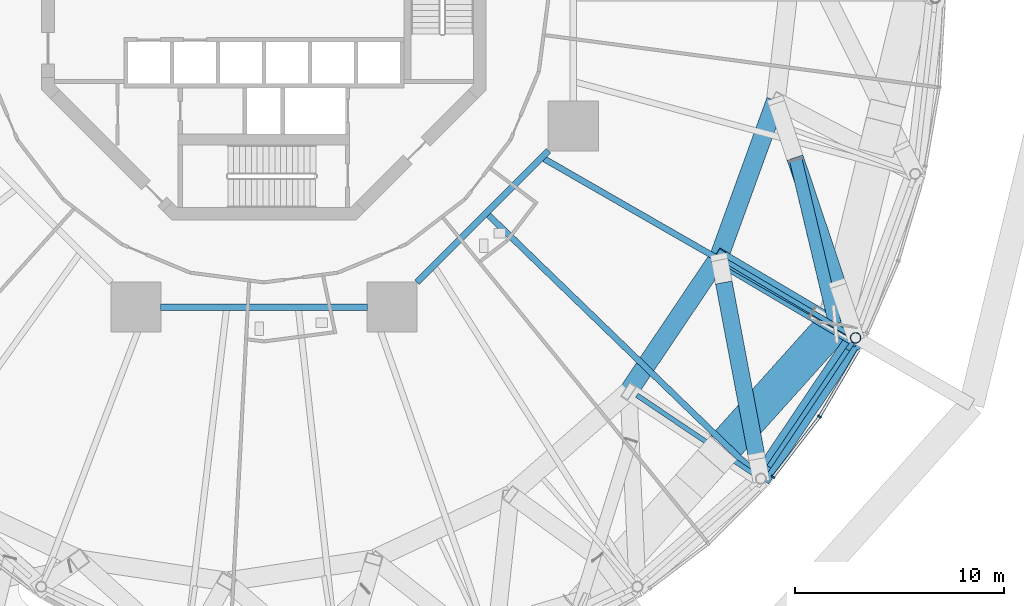
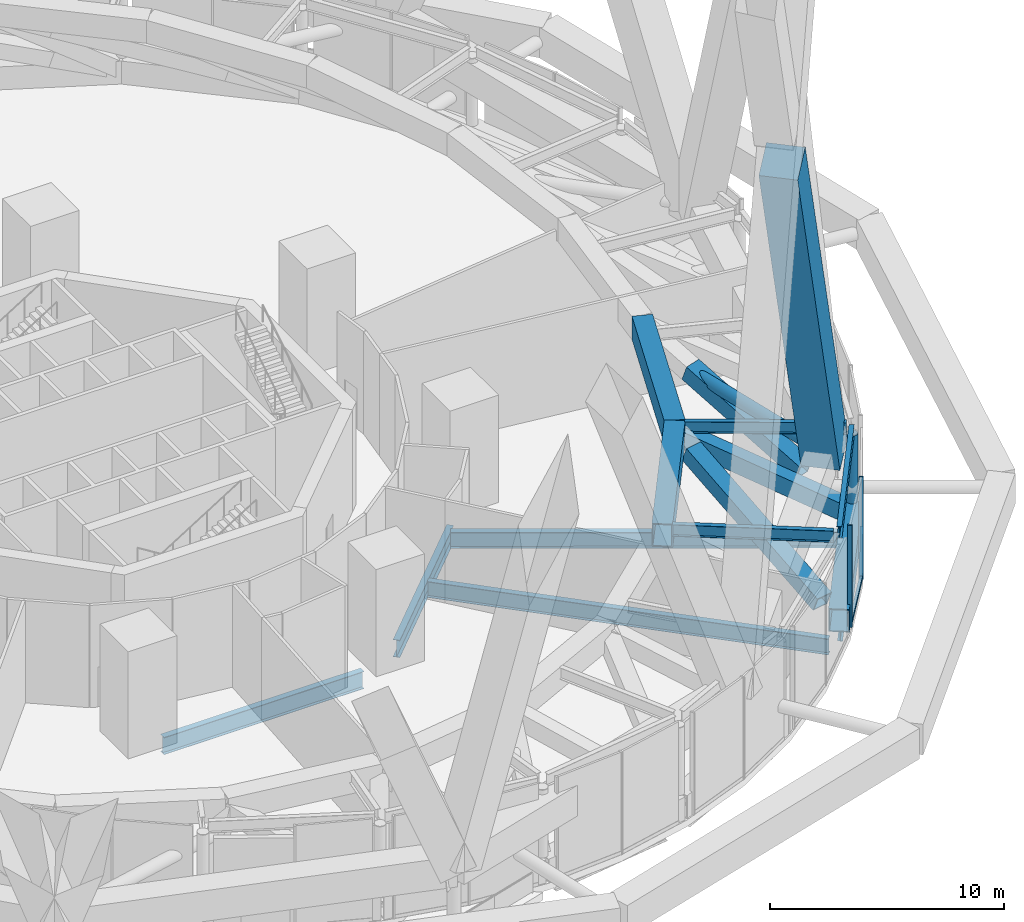
# One storey, part 15 of 51: 14 beams, 7 members, 2 elements without a shape of their own.
"""IFC4 building model written with IfcOpenShell, lengths in metres."""

from ifc_helpers import new_model, si_unit, direction, frame, origin, origin_2d, place, context, subcontext, project, spatial, rectangle, hollow_rectangle, hollow_circle, i_section, extrude, material, layer, layer_set, material_profile, profile_set, type_object, element, aggregate, save


model = new_model("IFC4")

# Units and contexts
model_context = context("Model", 3, precision=1e-05, world=origin(), true_north=direction((0.0, 1.0)))
body_context = subcontext(model_context, "Body", "Model", "MODEL_VIEW")
ifc_project = project(units=[si_unit("LENGTHUNIT", "METRE"), si_unit("AREAUNIT", "SQUARE_METRE"), si_unit("VOLUMEUNIT", "CUBIC_METRE"), si_unit("PLANEANGLEUNIT", "RADIAN"), si_unit("MASSUNIT", "GRAM", prefix="KILO")], contexts=[model_context])

# Site, building, storey
site_placement = place(None, origin())
site = spatial("IfcSite", under=ifc_project, at=site_placement, CompositionType="ELEMENT")
building_placement = place(site_placement, origin())
building = spatial("IfcBuilding", under=site, at=building_placement, Name="Nagisa Residences", CompositionType="ELEMENT")
storey_placement = place(building_placement, frame((0.0, 0.0, 67.699951171875)))
storey = spatial("IfcBuildingStorey", under=building, at=storey_placement, Name="L16", CompositionType="ELEMENT", Elevation=67.699951171875)

# Beams
ifc_material_1 = material(Name="Steel ASTM A572 Gr 50", Category="steel")
ifc_material_profile_1 = material_profile(ifc_material_1, hollow_rectangle(XDim=0.89990234375, YDim=1.199951171875, WallThickness=0.050048828125, at=origin_2d()), Name="BX 900x1200x50")
ifc_profile_set_1 = profile_set([ifc_material_profile_1], Name="Steel ASTM A572 Gr 50")
beam_type_1 = type_object("IfcBeamType", Name="Belt chord 1 BX 900x1200x50", PredefinedType="BEAM", material=ifc_profile_set_1)
beam_1_placement = place(storey_placement, frame((23.75244140625, -22.98095703125, 0.60009765625), z_axis=(0.558278389418, 0.829653686732, 0.0), x_axis=(-0.829653686732, 0.558278389418, 0.0)))
element("IfcBeam", 1, at=beam_1_placement, inside=storey, type_object=beam_type_1, Name="beam:L16:bt1b22", PredefinedType="BEAM", context=body_context, shape_type="SweptSolid", body=[
    extrude(hollow_rectangle(XDim=0.89990234375, YDim=1.199951171875, WallThickness=0.050048828125, at=origin_2d()), origin(), (0.0, 0.0, 1.0), 8.113037109375),
])
beam_2_placement = place(storey_placement, frame((17.4296875, -18.813232421875, 4.739990234375), z_axis=(0.558231952624, 0.829684932411, 0.0), x_axis=(-0.829684932411, 0.558231952624, 0.0)))
element("IfcBeam", 2, at=beam_2_placement, inside=storey, type_object=beam_type_1, Name="beam:L16:bt1t22", PredefinedType="BEAM", context=body_context, shape_type="SweptSolid", body=[
    extrude(hollow_rectangle(XDim=0.89990234375, YDim=1.199951171875, WallThickness=0.050048828125, at=origin_2d()), origin(), (0.0, 0.0, 1.0), 7.741943359375),
])
beam_3_placement = place(storey_placement, frame((21.75146484375, -12.389892578125, 4.739990234375), z_axis=(0.341378490928, 0.939925915129, 0.0), x_axis=(-0.939925915129, 0.341378490928, 0.0)))
element("IfcBeam", 3, at=beam_3_placement, inside=storey, type_object=beam_type_1, Name="beam:L16:bt1t23", PredefinedType="BEAM", context=body_context, shape_type="SweptSolid", body=[
    extrude(hollow_rectangle(XDim=0.89990234375, YDim=1.199951171875, WallThickness=0.050048828125, at=origin_2d()), origin(), (0.0, 0.0, 1.0), 7.958251953125),
])
ifc_material_2 = material(Name="Steel ASTM A572 Gr 50", Category="steel")
ifc_material_profile_2 = material_profile(ifc_material_2, hollow_rectangle(XDim=0.800048828125, YDim=0.800048828125, WallThickness=0.044921875, at=origin_2d()), Name="BX 800x800x45")
ifc_profile_set_2 = profile_set([ifc_material_profile_2], Name="Steel ASTM A572 Gr 50")
beam_type_2 = type_object("IfcBeamType", Name="Belt diagonal 1 BX 800x800x45", PredefinedType="BEAM", material=ifc_profile_set_2)
beam_4_placement = place(storey_placement, frame((23.549560546875, -21.906494140625, 1.02001953125), z_axis=(-0.173300914748, 0.917277258697, 0.358565508135), x_axis=(-0.982616787584, -0.185645492157, 0.0)))
element("IfcBeam", 4, at=beam_4_placement, inside=storey, type_object=beam_type_2, Name="beam:L16:bt1db22", PredefinedType="BEAM", context=body_context, shape_type="SweptSolid", body=[
    extrude(hollow_rectangle(XDim=0.800048828125, YDim=0.800048828125, WallThickness=0.044921875, at=origin_2d()), origin(), (0.0, 0.0, 1.0), 9.203369140625),
])
beam_5_placement = place(storey_placement, frame((28.28173828125, -16.25, 0.60009765625), z_axis=(-0.755646564782, 0.446669950492, 0.479045117355), x_axis=(-0.508857252928, -0.860850914004, 0.0)))
element("IfcBeam", 5, at=beam_5_placement, inside=storey, type_object=beam_type_2, Name="beam:L16:bt1da23", PredefinedType="BEAM", context=body_context, shape_type="SweptSolid", body=[
    extrude(hollow_rectangle(XDim=0.800048828125, YDim=0.800048828125, WallThickness=0.044921875, at=origin_2d()), origin(), (0.0, 0.0, 1.0), 8.64208984375),
])
beam_6_placement = place(storey_placement, frame((27.40673828125, -13.647705078125, 1.550048828125), z_axis=(-0.301204007277, 0.89573531072, 0.327008255445), x_axis=(-0.947846507267, -0.318727153944, 0.0)))
element("IfcBeam", 6, at=beam_6_placement, inside=storey, type_object=beam_type_2, Name="beam:L16:bt1db23", PredefinedType="BEAM", context=body_context, shape_type="SweptSolid", body=[
    extrude(hollow_rectangle(XDim=0.800048828125, YDim=0.800048828125, WallThickness=0.044921875, at=origin_2d()), origin(), (0.0, 0.0, 1.0), 6.849853515625),
])

# Curtain wall, member
ifc_material_3 = material(Name="Aluminium curtain wall system", Category="aluminium")
ifc_layer = layer(ifc_material_3, 0.159912109375)
ifc_layer_set = layer_set([ifc_layer], Name="CW2 CURTAIN WALL")
curtain_wall_type = type_object("IfcCurtainWallType", Name="CW2 CURTAIN WALL", PredefinedType="NOTDEFINED", material=ifc_layer_set)
curtain_wall_1_placement = place(storey_placement, origin())
curtain_wall_1 = element("IfcCurtainWall", 7, at=curtain_wall_1_placement, inside=storey, type_object=curtain_wall_type, Name="cw:CW2:L16:42", PredefinedType="NOTDEFINED")
ifc_material_4 = material(Name="Aluminium", Category="aluminium")
ifc_material_profile_3 = material_profile(ifc_material_4, rectangle(XDim=0.199951171875, YDim=0.080078125, at=origin_2d()), Name="CW2 MULLION 200x80")
ifc_profile_set_3 = profile_set([ifc_material_profile_3], Name="Aluminium")
member_type_1 = type_object("IfcMemberType", Name="CW2 MULLION 200x80", PredefinedType="MULLION", material=ifc_profile_set_3)
member_1_placement = place(storey_placement, frame((24.341796875, -22.8974609375, 0.0), z_axis=(0.0, 0.0, 1.0), x_axis=(-0.792070340816, 0.610429828235, 0.0)))
member_1 = element("IfcMember", 8, at=member_1_placement, type_object=member_type_1, Name="CW2 mullion", PredefinedType="MULLION", context=body_context, shape_type="SweptSolid", body=[
    extrude(rectangle(XDim=0.199951171875, YDim=0.080078125, at=origin_2d()), origin(), (0.0, 0.0, 1.0), 5.340087890625),
])

curtain_wall_2_placement = place(storey_placement, origin())
curtain_wall_2 = element("IfcCurtainWall", 9, at=curtain_wall_2_placement, inside=storey, type_object=curtain_wall_type, Name="cw:CW2:L16:43", PredefinedType="NOTDEFINED")
member_2_placement = place(storey_placement, frame((26.55859375, -20.01416015625, 0.0), z_axis=(0.0, 0.0, 1.0), x_axis=(-0.862328898214, 0.506348567002, 0.0)))
member_2 = element("IfcMember", 10, at=member_2_placement, type_object=member_type_1, Name="CW2 mullion", PredefinedType="MULLION", context=body_context, shape_type="SweptSolid", body=[
    extrude(rectangle(XDim=0.199951171875, YDim=0.080078125, at=origin_2d()), origin(), (0.0, 0.0, 1.0), 5.340087890625),
])

# Member
ifc_material_5 = material(Name="Aluminium", Category="aluminium")
ifc_material_profile_4 = material_profile(ifc_material_5, rectangle(XDim=0.139892578125, YDim=0.179931640625, at=origin_2d()), Name="CW2 TRANSOM 140x180")
ifc_profile_set_4 = profile_set([ifc_material_profile_4], Name="Aluminium")
member_type_2 = type_object("IfcMemberType", Name="CW2 TRANSOM 140x180", PredefinedType="USERDEFINED", material=ifc_profile_set_4)
member_3_placement = place(storey_placement, frame((24.3173828125, -22.92919921875, 0.090087890625), z_axis=(0.61045449984, 0.792051326383, 0.0), x_axis=(-0.792051326383, 0.61045449984, 0.0)))
member_3 = element("IfcMember", 11, at=member_3_placement, type_object=member_type_2, Name="CW2 transom", ObjectType="TRANSOM", PredefinedType="USERDEFINED", context=body_context, shape_type="SweptSolid", body=[
    extrude(rectangle(XDim=0.139892578125, YDim=0.179931640625, at=origin_2d()), origin(), (0.0, 0.0, 1.0), 3.6474609375),
])

aggregate(curtain_wall_1, [member_1, member_3])

member_4_placement = place(storey_placement, frame((26.538330078125, -20.048583984375, 0.090087890625), z_axis=(0.506367517086, 0.862317770686, 0.0), x_axis=(-0.862317770686, 0.506367517086, 0.0)))
member_4 = element("IfcMember", 12, at=member_4_placement, type_object=member_type_2, Name="CW2 transom", ObjectType="TRANSOM", PredefinedType="USERDEFINED", context=body_context, shape_type="SweptSolid", body=[
    extrude(rectangle(XDim=0.139892578125, YDim=0.179931640625, at=origin_2d()), origin(), (0.0, 0.0, 1.0), 3.7119140625),
])

aggregate(curtain_wall_2, [member_2, member_4])

# Members
ifc_material_6 = material(Name="Concrete C80", Category="concrete")
ifc_material_profile_5 = material_profile(ifc_material_6, rectangle(XDim=1.699951171875, YDim=1.699951171875, at=origin_2d()), Name="C80 1700x1700")
ifc_profile_set_5 = profile_set([ifc_material_profile_5], Name="Concrete C80")
member_type_3 = type_object("IfcMemberType", Name="Cage diagonal 2 C80 1700x1700", PredefinedType="BRACE", material=ifc_profile_set_5)
member_5_placement = place(storey_placement, frame((27.294189453125, -15.58984375, 3.699951171875), z_axis=(-0.255351866478, -0.284378333552, 0.924080292882), x_axis=(0.744059467761, -0.668113394893, 0.0)))
element("IfcMember", 13, at=member_5_placement, inside=storey, type_object=member_type_3, Name="mem:L16:cg2d022a", PredefinedType="BRACE", context=body_context, shape_type="SweptSolid", body=[
    extrude(rectangle(XDim=1.699951171875, YDim=1.699951171875, at=origin_2d()), origin(), (0.0, 0.0, 1.0), 22.89453125),
])
ifc_material_7 = material(Name="Steel ASTM A572 Gr 65", Category="steel")
ifc_material_profile_6 = material_profile(ifc_material_7, hollow_circle(Radius=0.304931640625, WallThickness=0.02490234375, at=origin_2d()), Name="CHS 610x25")
ifc_profile_set_6 = profile_set([ifc_material_profile_6], Name="Steel ASTM A572 Gr 65")
member_type_4 = type_object("IfcMemberType", Name="Cage strut CHS 610x25", PredefinedType="STRUT", material=ifc_profile_set_6)
member_6_placement = place(storey_placement, frame((27.294189453125, -15.58984375, 3.699951171875), z_axis=(-0.232004497481, 0.972714713135, 0.0), x_axis=(-0.972714713135, -0.232004497481, 0.0)))
element("IfcMember", 14, at=member_6_placement, inside=storey, type_object=member_type_4, Name="mem:L16:bt1st2b12", PredefinedType="STRUT", context=body_context, shape_type="SweptSolid", body=[
    extrude(hollow_circle(Radius=0.304931640625, WallThickness=0.02490234375, at=origin_2d()), origin(), (0.0, 0.0, 1.0), 8.05126953125),
])

# Beam
ifc_material_8 = material(Name="Steel ASTM A572 Gr 50", Category="steel")
ifc_material_profile_7 = material_profile(ifc_material_8, i_section(OverallWidth=0.22802734375, OverallDepth=0.60302734375, WebThickness=0.010498046875, FlangeThickness=0.014892578125, at=origin_2d()), Name="W610x101")
ifc_profile_set_7 = profile_set([ifc_material_profile_7], Name="Steel ASTM A572 Gr 50")
beam_type_3 = type_object("IfcBeamType", Name="Garden edge beam W610x101", PredefinedType="BEAM", material=ifc_profile_set_7)
beam_7_placement = place(storey_placement, frame((23.883056640625, -22.786865234375, 5.03857421875), z_axis=(0.558276619437, 0.829654877759, 0.0), x_axis=(-0.829654877759, 0.558276619437, 0.0)))
element("IfcBeam", 15, at=beam_7_placement, inside=storey, type_object=beam_type_3, Name="beam:L16:bt1ge22", PredefinedType="BEAM", context=body_context, shape_type="SweptSolid", body=[
    extrude(i_section(OverallWidth=0.22802734375, OverallDepth=0.60302734375, WebThickness=0.010498046875, FlangeThickness=0.014892578125, at=origin_2d()), origin(), (0.0, 0.0, 1.0), 7.64501953125),
])

# Member
ifc_material_9 = material(Name="Steel ASTM A572 Gr 65", Category="steel")
ifc_material_profile_8 = material_profile(ifc_material_9, hollow_circle(Radius=0.25390625, WallThickness=0.02001953125, at=origin_2d()), Name="CHS 508x20")
ifc_profile_set_8 = profile_set([ifc_material_profile_8], Name="Steel ASTM A572 Gr 65")
member_type_5 = type_object("IfcMemberType", Name="Garden edge post CHS 508x20", PredefinedType="POST", material=ifc_profile_set_8)
member_7_placement = place(storey_placement, frame((28.28173828125, -16.25, 1.199951171875), z_axis=(0.0, 0.0, 1.0), x_axis=(1.0, 0.0, 0.0)))
element("IfcMember", 16, at=member_7_placement, inside=storey, type_object=member_type_5, Name="mem:L16:gp123", PredefinedType="POST", context=body_context, shape_type="SweptSolid", body=[
    extrude(hollow_circle(Radius=0.25390625, WallThickness=0.02001953125, at=origin_2d()), origin(), (0.0, 0.0, 1.0), 3.537109375),
])

# Beams
ifc_material_10 = material(Name="Steel ASTM A572 Gr 50", Category="steel")
ifc_material_profile_9 = material_profile(ifc_material_10, i_section(OverallWidth=0.22802734375, OverallDepth=0.60302734375, WebThickness=0.010498046875, FlangeThickness=0.014892578125, at=origin_2d()), Name="W610x101")
ifc_profile_set_9 = profile_set([ifc_material_profile_9], Name="Steel ASTM A572 Gr 50")
beam_type_4 = type_object("IfcBeamType", Name="Garden radial beam W610x101", PredefinedType="BEAM", material=ifc_profile_set_9)
beam_8_placement = place(storey_placement, frame((23.558349609375, -22.850341796875, 5.03857421875), z_axis=(-0.82969413697, 0.558218271896, 0.0), x_axis=(-0.558218271896, -0.82969413697, 0.0)))
element("IfcBeam", 17, at=beam_8_placement, inside=storey, type_object=beam_type_4, Name="beam:L16:bt1gr22", PredefinedType="BEAM", context=body_context, shape_type="SweptSolid", body=[
    extrude(i_section(OverallWidth=0.22802734375, OverallDepth=0.60302734375, WebThickness=0.010498046875, FlangeThickness=0.014892578125, at=origin_2d()), origin(), (0.0, 0.0, 1.0), 6.908447265625),
])
beam_9_placement = place(storey_placement, frame((28.080322265625, -16.130859375, 5.03857421875), z_axis=(-0.860845062404, 0.508867152147, 0.0), x_axis=(-0.508867152147, -0.860845062404, 0.0)))
element("IfcBeam", 18, at=beam_9_placement, inside=storey, type_object=beam_type_4, Name="beam:L16:bt1gr23", PredefinedType="BEAM", context=body_context, shape_type="SweptSolid", body=[
    extrude(i_section(OverallWidth=0.22802734375, OverallDepth=0.60302734375, WebThickness=0.010498046875, FlangeThickness=0.014892578125, at=origin_2d()), origin(), (0.0, 0.0, 1.0), 6.921630859375),
])
ifc_material_11 = material(Name="Steel ASTM A572 Gr 50", Category="steel")
ifc_material_profile_10 = material_profile(ifc_material_11, i_section(OverallWidth=0.303955078125, OverallDepth=0.903076171875, WebThickness=0.01513671875, FlangeThickness=0.02001953125, at=origin_2d()), Name="W920x201")
ifc_profile_set_10 = profile_set([ifc_material_profile_10], Name="Steel ASTM A572 Gr 50")
beam_type_5 = type_object("IfcBeamType", Name="Inner ring beam W920x201", PredefinedType="BEAM", material=ifc_profile_set_10)
beam_10_placement = place(storey_placement, frame((-4.94287109375, -14.781982421875, -0.801513671875), z_axis=(1.0, 0.0, 0.0), x_axis=(0.0, 1.0, 0.0)))
element("IfcBeam", 19, at=beam_10_placement, inside=storey, type_object=beam_type_5, Name="beam:L16:ib6", PredefinedType="BEAM", context=body_context, shape_type="SweptSolid", body=[
    extrude(i_section(OverallWidth=0.303955078125, OverallDepth=0.903076171875, WebThickness=0.01513671875, FlangeThickness=0.02001953125, at=origin_2d()), origin(), (0.0, 0.0, 1.0), 9.8857421875),
])
beam_11_placement = place(storey_placement, frame((7.308837890625, -13.59619140625, -0.801513671875), z_axis=(0.707106781187, 0.707106781187, 0.0), x_axis=(-0.707106781187, 0.707106781187, 0.0)))
element("IfcBeam", 20, at=beam_11_placement, inside=storey, type_object=beam_type_5, Name="beam:L16:ib7", PredefinedType="BEAM", context=body_context, shape_type="SweptSolid", body=[
    extrude(i_section(OverallWidth=0.303955078125, OverallDepth=0.903076171875, WebThickness=0.01513671875, FlangeThickness=0.02001953125, at=origin_2d()), origin(), (0.0, 0.0, 1.0), 8.8916015625),
])
ifc_material_12 = material(Name="Steel ASTM A572 Gr 50", Category="steel")
ifc_material_profile_11 = material_profile(ifc_material_12, i_section(OverallWidth=0.22900390625, OverallDepth=0.612060546875, WebThickness=0.011962890625, FlangeThickness=0.01953125, at=origin_2d()), Name="W610x125")
ifc_profile_set_11 = profile_set([ifc_material_profile_11], Name="Steel ASTM A572 Gr 50")
beam_type_6 = type_object("IfcBeamType", Name="Perimeter ring beam W610x125", PredefinedType="BEAM", material=ifc_profile_set_11)
beam_12_placement = place(storey_placement, frame((24.135498046875, -22.411865234375, -0.656005859375), z_axis=(0.558271879663, 0.829658067144, 0.0), x_axis=(-0.829658067144, 0.558271879663, 0.0)))
element("IfcBeam", 21, at=beam_12_placement, inside=storey, type_object=beam_type_6, Name="beam:L16:pb22", PredefinedType="BEAM", context=body_context, shape_type="SweptSolid", body=[
    extrude(i_section(OverallWidth=0.22900390625, OverallDepth=0.612060546875, WebThickness=0.011962890625, FlangeThickness=0.01953125, at=origin_2d()), origin(), (0.0, 0.0, 1.0), 6.74169921875),
])
ifc_material_13 = material(Name="Steel ASTM A572 Gr 50", Category="steel")
ifc_material_profile_12 = material_profile(ifc_material_13, i_section(OverallWidth=0.2919921875, OverallDepth=0.8349609375, WebThickness=0.013916015625, FlangeThickness=0.018798828125, at=origin_2d()), Name="W840x176")
ifc_profile_set_12 = profile_set([ifc_material_profile_12], Name="Steel ASTM A572 Gr 50")
beam_type_7 = type_object("IfcBeamType", Name="Radial beam W840x176", PredefinedType="BEAM", material=ifc_profile_set_12)
beam_13_placement = place(storey_placement, frame((23.443115234375, -22.681640625, -0.767333984375), z_axis=(-0.718684169073, 0.695336655962, 0.0), x_axis=(-0.695336655962, -0.718684169073, 0.0)))
element("IfcBeam", 22, at=beam_13_placement, inside=storey, type_object=beam_type_7, Name="beam:L16:rb22", PredefinedType="BEAM", context=body_context, shape_type="SweptSolid", body=[
    extrude(i_section(OverallWidth=0.2919921875, OverallDepth=0.8349609375, WebThickness=0.013916015625, FlangeThickness=0.018798828125, at=origin_2d()), origin(), (0.0, 0.0, 1.0), 17.703369140625),
])
beam_14_placement = place(storey_placement, frame((27.908447265625, -16.035400390625, -0.767333984375), z_axis=(-0.867065727846, 0.498193761096, 0.0), x_axis=(-0.498193761096, -0.867065727846, 0.0)))
element("IfcBeam", 23, at=beam_14_placement, inside=storey, type_object=beam_type_7, Name="beam:L16:rb23", PredefinedType="BEAM", context=body_context, shape_type="SweptSolid", body=[
    extrude(i_section(OverallWidth=0.2919921875, OverallDepth=0.8349609375, WebThickness=0.013916015625, FlangeThickness=0.018798828125, at=origin_2d()), origin(), (0.0, 0.0, 1.0), 16.73779296875),
])

save(model, "model.ifc")
